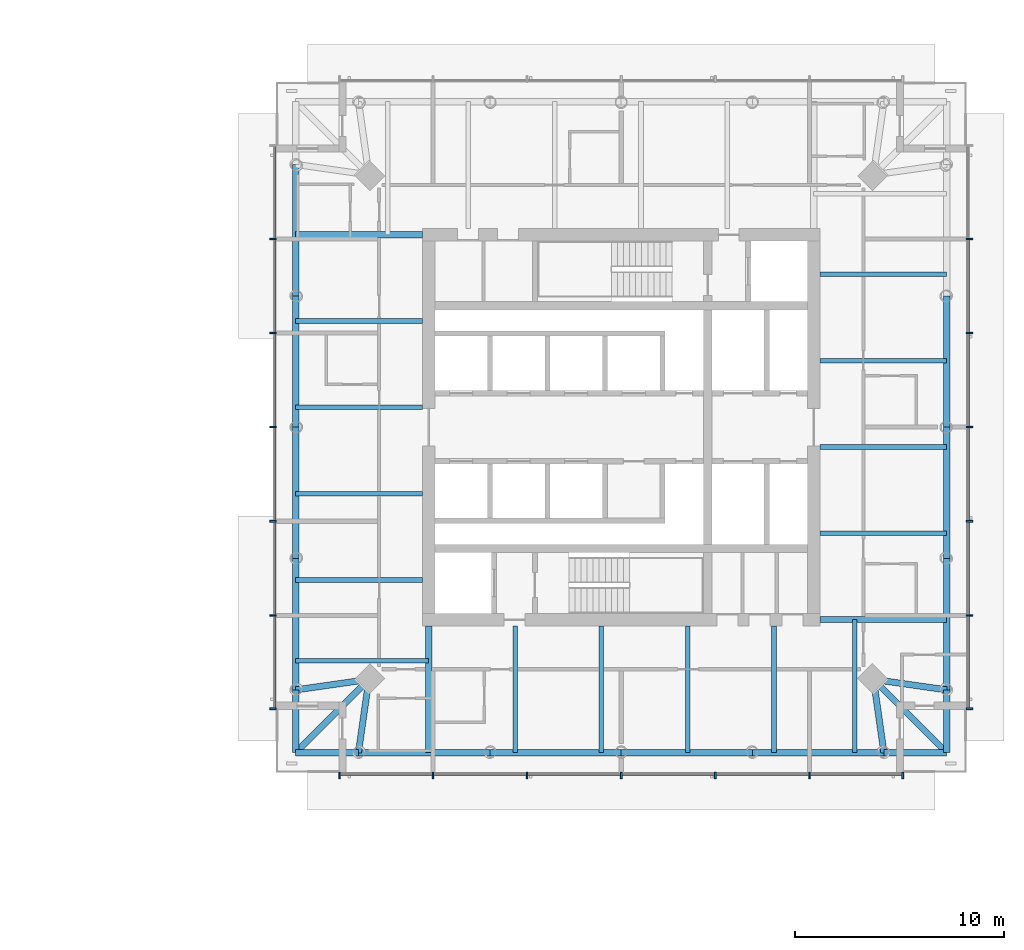
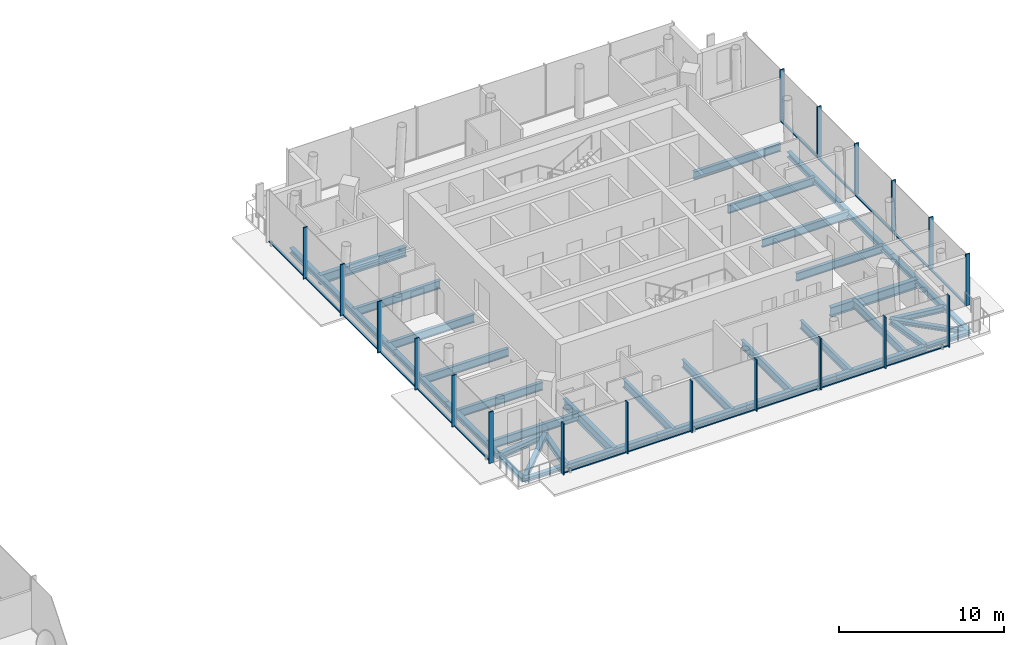
# One storey, part 4 of 20: 38 beams, 36 members, 3 elements without a shape of their own.
"""IFC4 building model written with IfcOpenShell, lengths in metres."""

from ifc_helpers import new_model, si_unit, direction, frame, origin, origin_2d, place, context, subcontext, project, spatial, rectangle, i_section, extrude, material, material_profile, profile_set, type_object, element, aggregate, save


model = new_model("IFC4")

# Units and contexts
model_context = context("Model", 3, precision=1e-05, world=origin(), true_north=direction((0.0, 1.0)))
body_context = subcontext(model_context, "Body", "Model", "MODEL_VIEW")
ifc_project = project(units=[si_unit("LENGTHUNIT", "METRE"), si_unit("AREAUNIT", "SQUARE_METRE"), si_unit("VOLUMEUNIT", "CUBIC_METRE"), si_unit("PLANEANGLEUNIT", "RADIAN"), si_unit("MASSUNIT", "GRAM", prefix="KILO")], contexts=[model_context])

# Site, building, storey
site_placement = place(None, origin())
site = spatial("IfcSite", under=ifc_project, at=site_placement, CompositionType="ELEMENT")
building_placement = place(site_placement, origin())
building = spatial("IfcBuilding", under=site, at=building_placement, Name="Ostroluk Exchange", CompositionType="ELEMENT")
storey_placement = place(building_placement, frame((0.0, 0.0, 100.800048828125)))
storey = spatial("IfcBuildingStorey", under=building, at=storey_placement, Name="L25", CompositionType="ELEMENT", Elevation=100.800048828125)

# Beams
ifc_material_1 = material(Name="Steel S355", Category="steel")
ifc_material_profile_1 = material_profile(ifc_material_1, i_section(OverallWidth=0.300048828125, OverallDepth=0.300048828125, WebThickness=0.010986328125, FlangeThickness=0.01904296875, FilletRadius=0.027099609375, at=origin_2d()), Name="HEB 300")
ifc_profile_set_1 = profile_set([ifc_material_profile_1], Name="Steel S355")
beam_type_1 = type_object("IfcBeamType", Name="Balcony beam HEB 300", PredefinedType="BEAM", material=ifc_profile_set_1)
for number, where, z_axis, x_axis, name in (
    (1, (101.439697265625, 33.439697265625, -0.35009765625), (0.0, -1.0, 0.0), (1.0, 0.0, 0.0), "T2 west balcony beam a"),
    (2, (104.439697265625, 30.439697265625, -0.35009765625), (-1.0, 0.0, 0.0), (0.0, -1.0, 0.0), "T2 west balcony beam b"),
):
    element("IfcBeam", number, at=place(storey_placement, frame(where, z_axis=z_axis, x_axis=x_axis)), inside=storey, type_object=beam_type_1, Name=name, PredefinedType="BEAM", context=body_context, shape_type="SweptSolid", body=[
        extrude(i_section(OverallWidth=0.300048828125, OverallDepth=0.300048828125, WebThickness=0.010986328125, FlangeThickness=0.01904296875, FilletRadius=0.027099609375, at=origin_2d()), origin(), (0.0, 0.0, 1.0), 3.0),
    ])
beam_1_placement = place(storey_placement, frame((104.939697265625, 33.939697265625, -0.35009765625), z_axis=(-0.707106781187, -0.707106781187, 0.0), x_axis=(0.707106781187, -0.707106781187, 0.0)))
element("IfcBeam", 3, at=beam_1_placement, inside=storey, type_object=beam_type_1, Name="T2 west balcony beam c", PredefinedType="BEAM", context=body_context, shape_type="SweptSolid", body=[
    extrude(i_section(OverallWidth=0.300048828125, OverallDepth=0.300048828125, WebThickness=0.010986328125, FlangeThickness=0.01904296875, FilletRadius=0.027099609375, at=origin_2d()), origin(), (0.0, 0.0, 1.0), 4.94970703125),
])
for number, where, z_axis, x_axis, name in (
    (4, (129.560302734375, 30.439697265625, -0.35009765625), (1.0, 0.0, 0.0), (0.0, 1.0, 0.0), "T2 south balcony beam a"),
    (5, (132.560302734375, 33.439697265625, -0.35009765625), (0.0, -1.0, 0.0), (1.0, 0.0, 0.0), "T2 south balcony beam b"),
):
    element("IfcBeam", number, at=place(storey_placement, frame(where, z_axis=z_axis, x_axis=x_axis)), inside=storey, type_object=beam_type_1, Name=name, PredefinedType="BEAM", context=body_context, shape_type="SweptSolid", body=[
        extrude(i_section(OverallWidth=0.300048828125, OverallDepth=0.300048828125, WebThickness=0.010986328125, FlangeThickness=0.01904296875, FilletRadius=0.027099609375, at=origin_2d()), origin(), (0.0, 0.0, 1.0), 3.0),
    ])
beam_2_placement = place(storey_placement, frame((129.060302734375, 33.939697265625, -0.35009765625), z_axis=(0.707106781187, -0.707106781187, 0.0), x_axis=(0.707106781187, 0.707106781187, 0.0)))
element("IfcBeam", 6, at=beam_2_placement, inside=storey, type_object=beam_type_1, Name="T2 south balcony beam c", PredefinedType="BEAM", context=body_context, shape_type="SweptSolid", body=[
    extrude(i_section(OverallWidth=0.300048828125, OverallDepth=0.300048828125, WebThickness=0.010986328125, FlangeThickness=0.01904296875, FilletRadius=0.027099609375, at=origin_2d()), origin(), (0.0, 0.0, 1.0), 4.94970703125),
])
ifc_material_2 = material(Name="Steel S355", Category="steel")
ifc_material_profile_2 = material_profile(ifc_material_2, i_section(OverallWidth=0.300048828125, OverallDepth=0.39990234375, WebThickness=0.013427734375, FlangeThickness=0.02392578125, FilletRadius=0.027099609375, at=origin_2d()), Name="HEB 400")
ifc_profile_set_2 = profile_set([ifc_material_profile_2], Name="Steel S355")
beam_type_2 = type_object("IfcBeamType", Name="Corner edge beam HEB 400", PredefinedType="SPANDREL", material=ifc_profile_set_2)
for number, where, z_axis, x_axis, name in (
    (7, (104.939697265625, 33.939697265625, -0.400146484375), (-0.989949493661, -0.141421356237, 0.0), (0.141421356237, -0.989949493661, 0.0), "T2 west corner edge beam a"),
    (8, (104.939697265625, 33.939697265625, -0.400146484375), (-0.141421356237, -0.989949493661, 0.0), (0.989949493661, -0.141421356237, 0.0), "T2 west corner edge beam b"),
    (9, (129.060302734375, 33.939697265625, -0.400146484375), (0.141421356237, -0.989949493661, 0.0), (0.989949493661, 0.141421356237, 0.0), "T2 south corner edge beam a"),
    (10, (129.060302734375, 33.939697265625, -0.400146484375), (0.989949493661, -0.141421356237, 0.0), (0.141421356237, 0.989949493661, 0.0), "T2 south corner edge beam b"),
):
    element("IfcBeam", number, at=place(storey_placement, frame(where, z_axis=z_axis, x_axis=x_axis)), inside=storey, type_object=beam_type_2, Name=name, PredefinedType="SPANDREL", context=body_context, shape_type="SweptSolid", body=[
        extrude(i_section(OverallWidth=0.300048828125, OverallDepth=0.39990234375, WebThickness=0.013427734375, FlangeThickness=0.02392578125, FilletRadius=0.027099609375, at=origin_2d()), origin(), (0.0, 0.0, 1.0), 3.53564453125),
    ])
ifc_material_3 = material(Name="Steel S355", Category="steel")
ifc_material_profile_3 = material_profile(ifc_material_3, i_section(OverallWidth=0.219970703125, OverallDepth=0.60009765625, WebThickness=0.011962890625, FlangeThickness=0.01904296875, FilletRadius=0.02392578125, at=origin_2d()), Name="IPE 600")
ifc_profile_set_3 = profile_set([ifc_material_profile_3], Name="Steel S355")
beam_type_3 = type_object("IfcBeamType", Name="Floor beam IPE 600", PredefinedType="BEAM", material=ifc_profile_set_3)
for number, where, z_axis, x_axis, name in (
    (11, (126.5, 40.9267578125, -0.5), (1.0, 0.0, 0.0), (0.0, 1.0, 0.0), "T2 east floor beam 1"),
    (12, (126.5, 45.053466796875, -0.5), (1.0, 0.0, 0.0), (0.0, 1.0, 0.0), "T2 east floor beam 2"),
    (13, (126.5, 49.18017578125, -0.5), (1.0, 0.0, 0.0), (0.0, 1.0, 0.0), "T2 east floor beam 3"),
    (14, (126.5, 53.306884765625, -0.5), (1.0, 0.0, 0.0), (0.0, 1.0, 0.0), "T2 east floor beam 4"),
    (15, (107.5, 51.0732421875, -0.5), (-1.0, 0.0, 0.0), (0.0, -1.0, 0.0), "T2 west floor beam 1"),
    (16, (107.5, 46.946533203125, -0.5), (-1.0, 0.0, 0.0), (0.0, -1.0, 0.0), "T2 west floor beam 2"),
    (17, (107.5, 42.81982421875, -0.5), (-1.0, 0.0, 0.0), (0.0, -1.0, 0.0), "T2 west floor beam 3"),
    (18, (107.5, 38.693115234375, -0.5), (-1.0, 0.0, 0.0), (0.0, -1.0, 0.0), "T2 west floor beam 4"),
):
    element("IfcBeam", number, at=place(storey_placement, frame(where, z_axis=z_axis, x_axis=x_axis)), inside=storey, type_object=beam_type_3, Name=name, PredefinedType="BEAM", context=body_context, shape_type="SweptSolid", body=[
        extrude(i_section(OverallWidth=0.219970703125, OverallDepth=0.60009765625, WebThickness=0.011962890625, FlangeThickness=0.01904296875, FilletRadius=0.02392578125, at=origin_2d()), origin(), (0.0, 0.0, 1.0), 6.060302734375),
    ])
beam_3_placement = place(storey_placement, frame((107.800048828125, 34.839599609375, -0.5), z_axis=(-1.0, 0.0, 0.0), x_axis=(0.0, -1.0, 0.0)))
element("IfcBeam", 19, at=beam_3_placement, inside=storey, type_object=beam_type_3, Name="T2 west floor beam 5", PredefinedType="BEAM", context=body_context, shape_type="SweptSolid", body=[
    extrude(i_section(OverallWidth=0.219970703125, OverallDepth=0.60009765625, WebThickness=0.011962890625, FlangeThickness=0.01904296875, FilletRadius=0.02392578125, at=origin_2d()), origin(), (0.0, 0.0, 1.0), 6.3603515625),
])
for number, where, z_axis, x_axis, name in (
    (20, (111.9267578125, 36.5, -0.5), (0.0, -1.0, 0.0), (1.0, 0.0, 0.0), "T2 south floor beam 1"),
    (21, (116.053466796875, 36.5, -0.5), (0.0, -1.0, 0.0), (1.0, 0.0, 0.0), "T2 south floor beam 2"),
    (22, (120.18017578125, 36.5, -0.5), (0.0, -1.0, 0.0), (1.0, 0.0, 0.0), "T2 south floor beam 3"),
    (23, (124.306884765625, 36.5, -0.5), (0.0, -1.0, 0.0), (1.0, 0.0, 0.0), "T2 south floor beam 4"),
):
    element("IfcBeam", number, at=place(storey_placement, frame(where, z_axis=z_axis, x_axis=x_axis)), inside=storey, type_object=beam_type_3, Name=name, PredefinedType="BEAM", context=body_context, shape_type="SweptSolid", body=[
        extrude(i_section(OverallWidth=0.219970703125, OverallDepth=0.60009765625, WebThickness=0.011962890625, FlangeThickness=0.01904296875, FilletRadius=0.02392578125, at=origin_2d()), origin(), (0.0, 0.0, 1.0), 6.060302734375),
    ])
beam_4_placement = place(storey_placement, frame((128.160400390625, 36.800048828125, -0.5), z_axis=(0.0, -1.0, 0.0), x_axis=(1.0, 0.0, 0.0)))
element("IfcBeam", 24, at=beam_4_placement, inside=storey, type_object=beam_type_3, Name="T2 south floor beam 5", PredefinedType="BEAM", context=body_context, shape_type="SweptSolid", body=[
    extrude(i_section(OverallWidth=0.219970703125, OverallDepth=0.60009765625, WebThickness=0.011962890625, FlangeThickness=0.01904296875, FilletRadius=0.02392578125, at=origin_2d()), origin(), (0.0, 0.0, 1.0), 6.3603515625),
])
ifc_material_4 = material(Name="Steel S355", Category="steel")
ifc_material_profile_4 = material_profile(ifc_material_4, i_section(OverallWidth=0.300048828125, OverallDepth=0.699951171875, WebThickness=0.01708984375, FlangeThickness=0.031982421875, FilletRadius=0.027099609375, at=origin_2d()), Name="HEB 700")
ifc_profile_set_4 = profile_set([ifc_material_profile_4], Name="Steel S355")
beam_type_4 = type_object("IfcBeamType", Name="Girder HEB 700", PredefinedType="BEAM", material=ifc_profile_set_4)
for number, where, z_axis, x_axis, name in (
    (25, (107.5, 55.199951171875, -0.550048828125), (-1.0, 0.0, 0.0), (0.0, -1.0, 0.0), "T2 north girder"),
    (26, (107.800048828125, 36.5, -0.550048828125), (0.0, -1.0, 0.0), (1.0, 0.0, 0.0), "T2 west girder"),
    (27, (126.5, 36.800048828125, -0.550048828125), (1.0, 0.0, 0.0), (0.0, 1.0, 0.0), "T2 south girder"),
):
    element("IfcBeam", number, at=place(storey_placement, frame(where, z_axis=z_axis, x_axis=x_axis)), inside=storey, type_object=beam_type_4, Name=name, PredefinedType="BEAM", context=body_context, shape_type="SweptSolid", body=[
        extrude(i_section(OverallWidth=0.300048828125, OverallDepth=0.699951171875, WebThickness=0.01708984375, FlangeThickness=0.031982421875, FilletRadius=0.027099609375, at=origin_2d()), origin(), (0.0, 0.0, 1.0), 6.060302734375),
    ])
ifc_material_5 = material(Name="Steel S355", Category="steel")
ifc_material_profile_5 = material_profile(ifc_material_5, i_section(OverallWidth=0.300048828125, OverallDepth=0.39990234375, WebThickness=0.013427734375, FlangeThickness=0.02392578125, FilletRadius=0.027099609375, at=origin_2d()), Name="HEB 400")
ifc_profile_set_5 = profile_set([ifc_material_profile_5], Name="Steel S355")
beam_type_5 = type_object("IfcBeamType", Name="Moment-connected edge beam HEB 400", PredefinedType="SPANDREL", material=ifc_profile_set_5)
beam_5_placement = place(storey_placement, frame((132.560302734375, 33.439697265625, -0.400146484375), z_axis=(0.0, 1.0, 0.0), x_axis=(-1.0, 0.0, 0.0)))
element("IfcBeam", 28, at=beam_5_placement, inside=storey, type_object=beam_type_5, Name="T2 east edge beam 1", PredefinedType="SPANDREL", context=body_context, shape_type="SweptSolid", body=[
    extrude(i_section(OverallWidth=0.300048828125, OverallDepth=0.39990234375, WebThickness=0.013427734375, FlangeThickness=0.02392578125, FilletRadius=0.027099609375, at=origin_2d()), origin(), (0.0, 0.0, 1.0), 6.280029296875),
])
for number, where, z_axis, x_axis, name in (
    (29, (132.560302734375, 39.7197265625, -0.400146484375), (0.0, 1.0, 0.0), (-1.0, 0.0, 0.0), "T2 east edge beam 2"),
    (30, (132.560302734375, 46.0, -0.400146484375), (0.0, 1.0, 0.0), (-1.0, 0.0, 0.0), "T2 east edge beam 3"),
):
    element("IfcBeam", number, at=place(storey_placement, frame(where, z_axis=z_axis, x_axis=x_axis)), inside=storey, type_object=beam_type_5, Name=name, PredefinedType="SPANDREL", context=body_context, shape_type="SweptSolid", body=[
        extrude(i_section(OverallWidth=0.300048828125, OverallDepth=0.39990234375, WebThickness=0.013427734375, FlangeThickness=0.02392578125, FilletRadius=0.027099609375, at=origin_2d()), origin(), (0.0, 0.0, 1.0), 6.2802734375),
    ])
beam_6_placement = place(storey_placement, frame((101.439697265625, 58.560302734375, -0.400146484375), z_axis=(0.0, -1.0, 0.0), x_axis=(1.0, 0.0, 0.0)))
element("IfcBeam", 31, at=beam_6_placement, inside=storey, type_object=beam_type_5, Name="T2 west edge beam 1", PredefinedType="SPANDREL", context=body_context, shape_type="SweptSolid", body=[
    extrude(i_section(OverallWidth=0.300048828125, OverallDepth=0.39990234375, WebThickness=0.013427734375, FlangeThickness=0.02392578125, FilletRadius=0.027099609375, at=origin_2d()), origin(), (0.0, 0.0, 1.0), 6.280029296875),
])
for number, where, z_axis, x_axis, name in (
    (32, (101.439697265625, 52.2802734375, -0.400146484375), (0.0, -1.0, 0.0), (1.0, 0.0, 0.0), "T2 west edge beam 2"),
    (33, (101.439697265625, 46.0, -0.400146484375), (0.0, -1.0, 0.0), (1.0, 0.0, 0.0), "T2 west edge beam 3"),
):
    element("IfcBeam", number, at=place(storey_placement, frame(where, z_axis=z_axis, x_axis=x_axis)), inside=storey, type_object=beam_type_5, Name=name, PredefinedType="SPANDREL", context=body_context, shape_type="SweptSolid", body=[
        extrude(i_section(OverallWidth=0.300048828125, OverallDepth=0.39990234375, WebThickness=0.013427734375, FlangeThickness=0.02392578125, FilletRadius=0.027099609375, at=origin_2d()), origin(), (0.0, 0.0, 1.0), 6.2802734375),
    ])
for number, where, z_axis, x_axis, name in (
    (34, (101.439697265625, 39.7197265625, -0.400146484375), (0.0, -1.0, 0.0), (1.0, 0.0, 0.0), "T2 west edge beam 4"),
    (35, (104.439697265625, 30.439697265625, -0.400146484375), (1.0, 0.0, 0.0), (0.0, 1.0, 0.0), "T2 south edge beam 1"),
):
    element("IfcBeam", number, at=place(storey_placement, frame(where, z_axis=z_axis, x_axis=x_axis)), inside=storey, type_object=beam_type_5, Name=name, PredefinedType="SPANDREL", context=body_context, shape_type="SweptSolid", body=[
        extrude(i_section(OverallWidth=0.300048828125, OverallDepth=0.39990234375, WebThickness=0.013427734375, FlangeThickness=0.02392578125, FilletRadius=0.027099609375, at=origin_2d()), origin(), (0.0, 0.0, 1.0), 6.280029296875),
    ])
for number, where, z_axis, x_axis, name in (
    (36, (110.7197265625, 30.439697265625, -0.400146484375), (1.0, 0.0, 0.0), (0.0, 1.0, 0.0), "T2 south edge beam 2"),
    (37, (117.0, 30.439697265625, -0.400146484375), (1.0, 0.0, 0.0), (0.0, 1.0, 0.0), "T2 south edge beam 3"),
):
    element("IfcBeam", number, at=place(storey_placement, frame(where, z_axis=z_axis, x_axis=x_axis)), inside=storey, type_object=beam_type_5, Name=name, PredefinedType="SPANDREL", context=body_context, shape_type="SweptSolid", body=[
        extrude(i_section(OverallWidth=0.300048828125, OverallDepth=0.39990234375, WebThickness=0.013427734375, FlangeThickness=0.02392578125, FilletRadius=0.027099609375, at=origin_2d()), origin(), (0.0, 0.0, 1.0), 6.2802734375),
    ])
beam_7_placement = place(storey_placement, frame((123.2802734375, 30.439697265625, -0.400146484375), z_axis=(1.0, 0.0, 0.0), x_axis=(0.0, 1.0, 0.0)))
element("IfcBeam", 38, at=beam_7_placement, inside=storey, type_object=beam_type_5, Name="T2 south edge beam 4", PredefinedType="SPANDREL", context=body_context, shape_type="SweptSolid", body=[
    extrude(i_section(OverallWidth=0.300048828125, OverallDepth=0.39990234375, WebThickness=0.013427734375, FlangeThickness=0.02392578125, FilletRadius=0.027099609375, at=origin_2d()), origin(), (0.0, 0.0, 1.0), 6.280029296875),
])

# Curtain wall, members
ifc_material_6 = material(Name="Laminated clear glass", Category="glass")
curtain_wall_type = type_object("IfcCurtainWallType", Name="Hotel guest floor facade", PredefinedType="USERDEFINED", material=ifc_material_6)
curtain_wall_1_placement = place(storey_placement, origin())
curtain_wall_1 = element("IfcCurtainWall", 39, at=curtain_wall_1_placement, inside=storey, type_object=curtain_wall_type, Name="Hotel tower south facade L25", ObjectType="UNITISED CURTAIN WALL", PredefinedType="USERDEFINED")
ifc_material_7 = material(Name="Aluminium mullion", Category="aluminium")
ifc_material_profile_6 = material_profile(ifc_material_7, rectangle(XDim=0.14990234375, YDim=0.080078125, at=origin_2d()), Name="Sill transom 80 x 150")
ifc_profile_set_6 = profile_set([ifc_material_profile_6], Name="Aluminium mullion")
member_type_1 = type_object("IfcMemberType", Name="Sill transom 80 x 150", PredefinedType="USERDEFINED", material=ifc_profile_set_6)
member_1_placement = place(storey_placement, frame((103.580078125, 29.425048828125, 0.0400390625), z_axis=(1.0, 0.0, 0.0), x_axis=(0.0, 1.0, 0.0)))
member_1 = element("IfcMember", 40, at=member_1_placement, type_object=member_type_1, Name="CW-H1 transom 1.1", ObjectType="TRANSOM", PredefinedType="USERDEFINED", context=body_context, shape_type="SweptSolid", body=[
    extrude(rectangle(XDim=0.14990234375, YDim=0.080078125, at=origin_2d()), origin(), (0.0, 0.0, 1.0), 4.3798828125),
])
member_2_placement = place(storey_placement, frame((108.0400390625, 29.425048828125, 0.0400390625), z_axis=(1.0, 0.0, 0.0), x_axis=(0.0, 1.0, 0.0)))
member_2 = element("IfcMember", 41, at=member_2_placement, type_object=member_type_1, Name="CW-H1 transom 2.1", ObjectType="TRANSOM", PredefinedType="USERDEFINED", context=body_context, shape_type="SweptSolid", body=[
    extrude(rectangle(XDim=0.14990234375, YDim=0.080078125, at=origin_2d()), origin(), (0.0, 0.0, 1.0), 4.419921875),
])
member_3_placement = place(storey_placement, frame((112.5400390625, 29.425048828125, 0.0400390625), z_axis=(1.0, 0.0, 0.0), x_axis=(0.0, 1.0, 0.0)))
member_3 = element("IfcMember", 42, at=member_3_placement, type_object=member_type_1, Name="CW-H1 transom 3.1", ObjectType="TRANSOM", PredefinedType="USERDEFINED", context=body_context, shape_type="SweptSolid", body=[
    extrude(rectangle(XDim=0.14990234375, YDim=0.080078125, at=origin_2d()), origin(), (0.0, 0.0, 1.0), 4.419921875),
])
member_4_placement = place(storey_placement, frame((117.0400390625, 29.425048828125, 0.0400390625), z_axis=(1.0, 0.0, 0.0), x_axis=(0.0, 1.0, 0.0)))
member_4 = element("IfcMember", 43, at=member_4_placement, type_object=member_type_1, Name="CW-H1 transom 4.1", ObjectType="TRANSOM", PredefinedType="USERDEFINED", context=body_context, shape_type="SweptSolid", body=[
    extrude(rectangle(XDim=0.14990234375, YDim=0.080078125, at=origin_2d()), origin(), (0.0, 0.0, 1.0), 4.419921875),
])
member_5_placement = place(storey_placement, frame((121.5400390625, 29.425048828125, 0.0400390625), z_axis=(1.0, 0.0, 0.0), x_axis=(0.0, 1.0, 0.0)))
member_5 = element("IfcMember", 44, at=member_5_placement, type_object=member_type_1, Name="CW-H1 transom 5.1", ObjectType="TRANSOM", PredefinedType="USERDEFINED", context=body_context, shape_type="SweptSolid", body=[
    extrude(rectangle(XDim=0.14990234375, YDim=0.080078125, at=origin_2d()), origin(), (0.0, 0.0, 1.0), 4.419921875),
])
member_6_placement = place(storey_placement, frame((126.0400390625, 29.425048828125, 0.0400390625), z_axis=(1.0, 0.0, 0.0), x_axis=(0.0, 1.0, 0.0)))
member_6 = element("IfcMember", 45, at=member_6_placement, type_object=member_type_1, Name="CW-H1 transom 6.1", ObjectType="TRANSOM", PredefinedType="USERDEFINED", context=body_context, shape_type="SweptSolid", body=[
    extrude(rectangle(XDim=0.14990234375, YDim=0.080078125, at=origin_2d()), origin(), (0.0, 0.0, 1.0), 4.3798828125),
])

curtain_wall_2_placement = place(storey_placement, origin())
curtain_wall_2 = element("IfcCurtainWall", 46, at=curtain_wall_2_placement, inside=storey, type_object=curtain_wall_type, Name="Hotel tower east facade L25", ObjectType="UNITISED CURTAIN WALL", PredefinedType="USERDEFINED")
member_7_placement = place(storey_placement, frame((133.574951171875, 32.580078125, 0.0400390625), z_axis=(0.0, 1.0, 0.0), x_axis=(-1.0, 0.0, 0.0)))
member_7 = element("IfcMember", 47, at=member_7_placement, type_object=member_type_1, Name="CW-H1 transom 1.1", ObjectType="TRANSOM", PredefinedType="USERDEFINED", context=body_context, shape_type="SweptSolid", body=[
    extrude(rectangle(XDim=0.14990234375, YDim=0.080078125, at=origin_2d()), origin(), (0.0, 0.0, 1.0), 4.3798828125),
])
member_8_placement = place(storey_placement, frame((133.574951171875, 37.0400390625, 0.0400390625), z_axis=(0.0, 1.0, 0.0), x_axis=(-1.0, 0.0, 0.0)))
member_8 = element("IfcMember", 48, at=member_8_placement, type_object=member_type_1, Name="CW-H1 transom 2.1", ObjectType="TRANSOM", PredefinedType="USERDEFINED", context=body_context, shape_type="SweptSolid", body=[
    extrude(rectangle(XDim=0.14990234375, YDim=0.080078125, at=origin_2d()), origin(), (0.0, 0.0, 1.0), 4.419921875),
])
member_9_placement = place(storey_placement, frame((133.574951171875, 41.5400390625, 0.0400390625), z_axis=(0.0, 1.0, 0.0), x_axis=(-1.0, 0.0, 0.0)))
member_9 = element("IfcMember", 49, at=member_9_placement, type_object=member_type_1, Name="CW-H1 transom 3.1", ObjectType="TRANSOM", PredefinedType="USERDEFINED", context=body_context, shape_type="SweptSolid", body=[
    extrude(rectangle(XDim=0.14990234375, YDim=0.080078125, at=origin_2d()), origin(), (0.0, 0.0, 1.0), 4.419921875),
])
member_10_placement = place(storey_placement, frame((133.574951171875, 46.0400390625, 0.0400390625), z_axis=(0.0, 1.0, 0.0), x_axis=(-1.0, 0.0, 0.0)))
member_10 = element("IfcMember", 50, at=member_10_placement, type_object=member_type_1, Name="CW-H1 transom 4.1", ObjectType="TRANSOM", PredefinedType="USERDEFINED", context=body_context, shape_type="SweptSolid", body=[
    extrude(rectangle(XDim=0.14990234375, YDim=0.080078125, at=origin_2d()), origin(), (0.0, 0.0, 1.0), 4.419921875),
])
member_11_placement = place(storey_placement, frame((133.574951171875, 50.5400390625, 0.0400390625), z_axis=(0.0, 1.0, 0.0), x_axis=(-1.0, 0.0, 0.0)))
member_11 = element("IfcMember", 51, at=member_11_placement, type_object=member_type_1, Name="CW-H1 transom 5.1", ObjectType="TRANSOM", PredefinedType="USERDEFINED", context=body_context, shape_type="SweptSolid", body=[
    extrude(rectangle(XDim=0.14990234375, YDim=0.080078125, at=origin_2d()), origin(), (0.0, 0.0, 1.0), 4.419921875),
])

curtain_wall_3_placement = place(storey_placement, origin())
curtain_wall_3 = element("IfcCurtainWall", 52, at=curtain_wall_3_placement, inside=storey, type_object=curtain_wall_type, Name="Hotel tower west facade L25", ObjectType="UNITISED CURTAIN WALL", PredefinedType="USERDEFINED")
member_12_placement = place(storey_placement, frame((100.425048828125, 59.419921875, 0.0400390625), z_axis=(0.0, -1.0, 0.0), x_axis=(1.0, 0.0, 0.0)))
member_12 = element("IfcMember", 53, at=member_12_placement, type_object=member_type_1, Name="CW-H1 transom 1.1", ObjectType="TRANSOM", PredefinedType="USERDEFINED", context=body_context, shape_type="SweptSolid", body=[
    extrude(rectangle(XDim=0.14990234375, YDim=0.080078125, at=origin_2d()), origin(), (0.0, 0.0, 1.0), 4.3798828125),
])
member_13_placement = place(storey_placement, frame((100.425048828125, 54.9599609375, 0.0400390625), z_axis=(0.0, -1.0, 0.0), x_axis=(1.0, 0.0, 0.0)))
member_13 = element("IfcMember", 54, at=member_13_placement, type_object=member_type_1, Name="CW-H1 transom 2.1", ObjectType="TRANSOM", PredefinedType="USERDEFINED", context=body_context, shape_type="SweptSolid", body=[
    extrude(rectangle(XDim=0.14990234375, YDim=0.080078125, at=origin_2d()), origin(), (0.0, 0.0, 1.0), 4.419921875),
])
member_14_placement = place(storey_placement, frame((100.425048828125, 50.4599609375, 0.0400390625), z_axis=(0.0, -1.0, 0.0), x_axis=(1.0, 0.0, 0.0)))
member_14 = element("IfcMember", 55, at=member_14_placement, type_object=member_type_1, Name="CW-H1 transom 3.1", ObjectType="TRANSOM", PredefinedType="USERDEFINED", context=body_context, shape_type="SweptSolid", body=[
    extrude(rectangle(XDim=0.14990234375, YDim=0.080078125, at=origin_2d()), origin(), (0.0, 0.0, 1.0), 4.419921875),
])
member_15_placement = place(storey_placement, frame((100.425048828125, 45.9599609375, 0.0400390625), z_axis=(0.0, -1.0, 0.0), x_axis=(1.0, 0.0, 0.0)))
member_15 = element("IfcMember", 56, at=member_15_placement, type_object=member_type_1, Name="CW-H1 transom 4.1", ObjectType="TRANSOM", PredefinedType="USERDEFINED", context=body_context, shape_type="SweptSolid", body=[
    extrude(rectangle(XDim=0.14990234375, YDim=0.080078125, at=origin_2d()), origin(), (0.0, 0.0, 1.0), 4.419921875),
])
member_16_placement = place(storey_placement, frame((100.425048828125, 41.4599609375, 0.0400390625), z_axis=(0.0, -1.0, 0.0), x_axis=(1.0, 0.0, 0.0)))
member_16 = element("IfcMember", 57, at=member_16_placement, type_object=member_type_1, Name="CW-H1 transom 5.1", ObjectType="TRANSOM", PredefinedType="USERDEFINED", context=body_context, shape_type="SweptSolid", body=[
    extrude(rectangle(XDim=0.14990234375, YDim=0.080078125, at=origin_2d()), origin(), (0.0, 0.0, 1.0), 4.419921875),
])
member_17_placement = place(storey_placement, frame((100.425048828125, 36.9599609375, 0.0400390625), z_axis=(0.0, -1.0, 0.0), x_axis=(1.0, 0.0, 0.0)))
member_17 = element("IfcMember", 58, at=member_17_placement, type_object=member_type_1, Name="CW-H1 transom 6.1", ObjectType="TRANSOM", PredefinedType="USERDEFINED", context=body_context, shape_type="SweptSolid", body=[
    extrude(rectangle(XDim=0.14990234375, YDim=0.080078125, at=origin_2d()), origin(), (0.0, 0.0, 1.0), 4.3798828125),
])

# Member
ifc_material_8 = material(Name="Aluminium mullion with limestone facing", Category="masonry")
ifc_material_profile_7 = material_profile(ifc_material_8, rectangle(XDim=0.300048828125, YDim=0.080078125, at=origin_2d()), Name="Tracery mullion 80 x 300")
ifc_profile_set_7 = profile_set([ifc_material_profile_7], Name="Aluminium mullion with limestone facing")
member_type_2 = type_object("IfcMemberType", Name="Tracery mullion 80 x 300", PredefinedType="MULLION", material=ifc_profile_set_7)
member_18_placement = place(storey_placement, frame((103.5400390625, 29.35009765625, 0.0), z_axis=(0.0, 0.0, 1.0), x_axis=(0.0, 1.0, 0.0)))
member_18 = element("IfcMember", 59, at=member_18_placement, type_object=member_type_2, Name="CW-H1 mullion 1", PredefinedType="MULLION", context=body_context, shape_type="SweptSolid", body=[
    extrude(rectangle(XDim=0.300048828125, YDim=0.080078125, at=origin_2d()), origin(), (0.0, 0.0, 1.0), 3.800048828125),
])

member_19_placement = place(storey_placement, frame((108.0, 29.35009765625, 0.0), z_axis=(0.0, 0.0, 1.0), x_axis=(0.0, 1.0, 0.0)))
member_19 = element("IfcMember", 60, at=member_19_placement, type_object=member_type_2, Name="CW-H1 mullion 2", PredefinedType="MULLION", context=body_context, shape_type="SweptSolid", body=[
    extrude(rectangle(XDim=0.300048828125, YDim=0.080078125, at=origin_2d()), origin(), (0.0, 0.0, 1.0), 3.800048828125),
])

member_20_placement = place(storey_placement, frame((112.5, 29.35009765625, 0.0), z_axis=(0.0, 0.0, 1.0), x_axis=(0.0, 1.0, 0.0)))
member_20 = element("IfcMember", 61, at=member_20_placement, type_object=member_type_2, Name="CW-H1 mullion 3", PredefinedType="MULLION", context=body_context, shape_type="SweptSolid", body=[
    extrude(rectangle(XDim=0.300048828125, YDim=0.080078125, at=origin_2d()), origin(), (0.0, 0.0, 1.0), 3.800048828125),
])

member_21_placement = place(storey_placement, frame((117.0, 29.35009765625, 0.0), z_axis=(0.0, 0.0, 1.0), x_axis=(0.0, 1.0, 0.0)))
member_21 = element("IfcMember", 62, at=member_21_placement, type_object=member_type_2, Name="CW-H1 mullion 4", PredefinedType="MULLION", context=body_context, shape_type="SweptSolid", body=[
    extrude(rectangle(XDim=0.300048828125, YDim=0.080078125, at=origin_2d()), origin(), (0.0, 0.0, 1.0), 3.800048828125),
])

member_22_placement = place(storey_placement, frame((121.5, 29.35009765625, 0.0), z_axis=(0.0, 0.0, 1.0), x_axis=(0.0, 1.0, 0.0)))
member_22 = element("IfcMember", 63, at=member_22_placement, type_object=member_type_2, Name="CW-H1 mullion 5", PredefinedType="MULLION", context=body_context, shape_type="SweptSolid", body=[
    extrude(rectangle(XDim=0.300048828125, YDim=0.080078125, at=origin_2d()), origin(), (0.0, 0.0, 1.0), 3.800048828125),
])

member_23_placement = place(storey_placement, frame((126.0, 29.35009765625, 0.0), z_axis=(0.0, 0.0, 1.0), x_axis=(0.0, 1.0, 0.0)))
member_23 = element("IfcMember", 64, at=member_23_placement, type_object=member_type_2, Name="CW-H1 mullion 6", PredefinedType="MULLION", context=body_context, shape_type="SweptSolid", body=[
    extrude(rectangle(XDim=0.300048828125, YDim=0.080078125, at=origin_2d()), origin(), (0.0, 0.0, 1.0), 3.800048828125),
])

member_24_placement = place(storey_placement, frame((130.4599609375, 29.35009765625, 0.0), z_axis=(0.0, 0.0, 1.0), x_axis=(0.0, 1.0, 0.0)))
member_24 = element("IfcMember", 65, at=member_24_placement, type_object=member_type_2, Name="CW-H1 mullion 7", PredefinedType="MULLION", context=body_context, shape_type="SweptSolid", body=[
    extrude(rectangle(XDim=0.300048828125, YDim=0.080078125, at=origin_2d()), origin(), (0.0, 0.0, 1.0), 3.800048828125),
])

aggregate(curtain_wall_1, [member_18, member_19, member_20, member_21, member_22, member_23, member_24, member_1, member_2, member_3, member_4, member_5, member_6])

member_25_placement = place(storey_placement, frame((133.64990234375, 32.5400390625, 0.0), z_axis=(0.0, 0.0, 1.0), x_axis=(-1.0, 0.0, 0.0)))
member_25 = element("IfcMember", 66, at=member_25_placement, type_object=member_type_2, Name="CW-H1 mullion 1", PredefinedType="MULLION", context=body_context, shape_type="SweptSolid", body=[
    extrude(rectangle(XDim=0.300048828125, YDim=0.080078125, at=origin_2d()), origin(), (0.0, 0.0, 1.0), 3.800048828125),
])

member_26_placement = place(storey_placement, frame((133.64990234375, 37.0, 0.0), z_axis=(0.0, 0.0, 1.0), x_axis=(-1.0, 0.0, 0.0)))
member_26 = element("IfcMember", 67, at=member_26_placement, type_object=member_type_2, Name="CW-H1 mullion 2", PredefinedType="MULLION", context=body_context, shape_type="SweptSolid", body=[
    extrude(rectangle(XDim=0.300048828125, YDim=0.080078125, at=origin_2d()), origin(), (0.0, 0.0, 1.0), 3.800048828125),
])

member_27_placement = place(storey_placement, frame((133.64990234375, 41.5, 0.0), z_axis=(0.0, 0.0, 1.0), x_axis=(-1.0, 0.0, 0.0)))
member_27 = element("IfcMember", 68, at=member_27_placement, type_object=member_type_2, Name="CW-H1 mullion 3", PredefinedType="MULLION", context=body_context, shape_type="SweptSolid", body=[
    extrude(rectangle(XDim=0.300048828125, YDim=0.080078125, at=origin_2d()), origin(), (0.0, 0.0, 1.0), 3.800048828125),
])

member_28_placement = place(storey_placement, frame((133.64990234375, 46.0, 0.0), z_axis=(0.0, 0.0, 1.0), x_axis=(-1.0, 0.0, 0.0)))
member_28 = element("IfcMember", 69, at=member_28_placement, type_object=member_type_2, Name="CW-H1 mullion 4", PredefinedType="MULLION", context=body_context, shape_type="SweptSolid", body=[
    extrude(rectangle(XDim=0.300048828125, YDim=0.080078125, at=origin_2d()), origin(), (0.0, 0.0, 1.0), 3.800048828125),
])

member_29_placement = place(storey_placement, frame((133.64990234375, 50.5, 0.0), z_axis=(0.0, 0.0, 1.0), x_axis=(-1.0, 0.0, 0.0)))
member_29 = element("IfcMember", 70, at=member_29_placement, type_object=member_type_2, Name="CW-H1 mullion 5", PredefinedType="MULLION", context=body_context, shape_type="SweptSolid", body=[
    extrude(rectangle(XDim=0.300048828125, YDim=0.080078125, at=origin_2d()), origin(), (0.0, 0.0, 1.0), 3.800048828125),
])

member_30_placement = place(storey_placement, frame((133.64990234375, 55.0, 0.0), z_axis=(0.0, 0.0, 1.0), x_axis=(-1.0, 0.0, 0.0)))
member_30 = element("IfcMember", 71, at=member_30_placement, type_object=member_type_2, Name="CW-H1 mullion 6", PredefinedType="MULLION", context=body_context, shape_type="SweptSolid", body=[
    extrude(rectangle(XDim=0.300048828125, YDim=0.080078125, at=origin_2d()), origin(), (0.0, 0.0, 1.0), 3.800048828125),
])

aggregate(curtain_wall_2, [member_25, member_26, member_27, member_28, member_29, member_30, member_7, member_8, member_9, member_10, member_11])

member_31_placement = place(storey_placement, frame((100.35009765625, 55.0, 0.0), z_axis=(0.0, 0.0, 1.0), x_axis=(1.0, 0.0, 0.0)))
member_31 = element("IfcMember", 72, at=member_31_placement, type_object=member_type_2, Name="CW-H1 mullion 2", PredefinedType="MULLION", context=body_context, shape_type="SweptSolid", body=[
    extrude(rectangle(XDim=0.300048828125, YDim=0.080078125, at=origin_2d()), origin(), (0.0, 0.0, 1.0), 3.800048828125),
])

member_32_placement = place(storey_placement, frame((100.35009765625, 50.5, 0.0), z_axis=(0.0, 0.0, 1.0), x_axis=(1.0, 0.0, 0.0)))
member_32 = element("IfcMember", 73, at=member_32_placement, type_object=member_type_2, Name="CW-H1 mullion 3", PredefinedType="MULLION", context=body_context, shape_type="SweptSolid", body=[
    extrude(rectangle(XDim=0.300048828125, YDim=0.080078125, at=origin_2d()), origin(), (0.0, 0.0, 1.0), 3.800048828125),
])

member_33_placement = place(storey_placement, frame((100.35009765625, 46.0, 0.0), z_axis=(0.0, 0.0, 1.0), x_axis=(1.0, 0.0, 0.0)))
member_33 = element("IfcMember", 74, at=member_33_placement, type_object=member_type_2, Name="CW-H1 mullion 4", PredefinedType="MULLION", context=body_context, shape_type="SweptSolid", body=[
    extrude(rectangle(XDim=0.300048828125, YDim=0.080078125, at=origin_2d()), origin(), (0.0, 0.0, 1.0), 3.800048828125),
])

member_34_placement = place(storey_placement, frame((100.35009765625, 41.5, 0.0), z_axis=(0.0, 0.0, 1.0), x_axis=(1.0, 0.0, 0.0)))
member_34 = element("IfcMember", 75, at=member_34_placement, type_object=member_type_2, Name="CW-H1 mullion 5", PredefinedType="MULLION", context=body_context, shape_type="SweptSolid", body=[
    extrude(rectangle(XDim=0.300048828125, YDim=0.080078125, at=origin_2d()), origin(), (0.0, 0.0, 1.0), 3.800048828125),
])

member_35_placement = place(storey_placement, frame((100.35009765625, 37.0, 0.0), z_axis=(0.0, 0.0, 1.0), x_axis=(1.0, 0.0, 0.0)))
member_35 = element("IfcMember", 76, at=member_35_placement, type_object=member_type_2, Name="CW-H1 mullion 6", PredefinedType="MULLION", context=body_context, shape_type="SweptSolid", body=[
    extrude(rectangle(XDim=0.300048828125, YDim=0.080078125, at=origin_2d()), origin(), (0.0, 0.0, 1.0), 3.800048828125),
])

member_36_placement = place(storey_placement, frame((100.35009765625, 32.5400390625, 0.0), z_axis=(0.0, 0.0, 1.0), x_axis=(1.0, 0.0, 0.0)))
member_36 = element("IfcMember", 77, at=member_36_placement, type_object=member_type_2, Name="CW-H1 mullion 7", PredefinedType="MULLION", context=body_context, shape_type="SweptSolid", body=[
    extrude(rectangle(XDim=0.300048828125, YDim=0.080078125, at=origin_2d()), origin(), (0.0, 0.0, 1.0), 3.800048828125),
])

aggregate(curtain_wall_3, [member_31, member_32, member_33, member_34, member_35, member_36, member_12, member_13, member_14, member_15, member_16, member_17])

save(model, "model.ifc")
